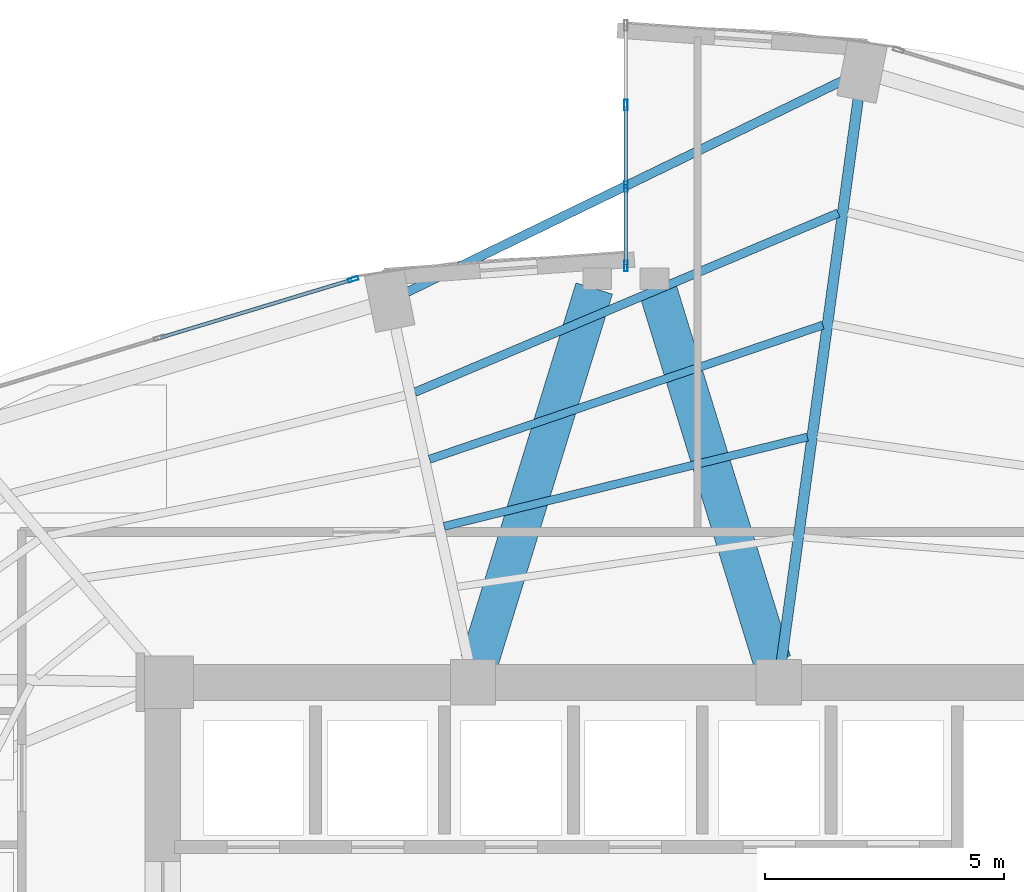
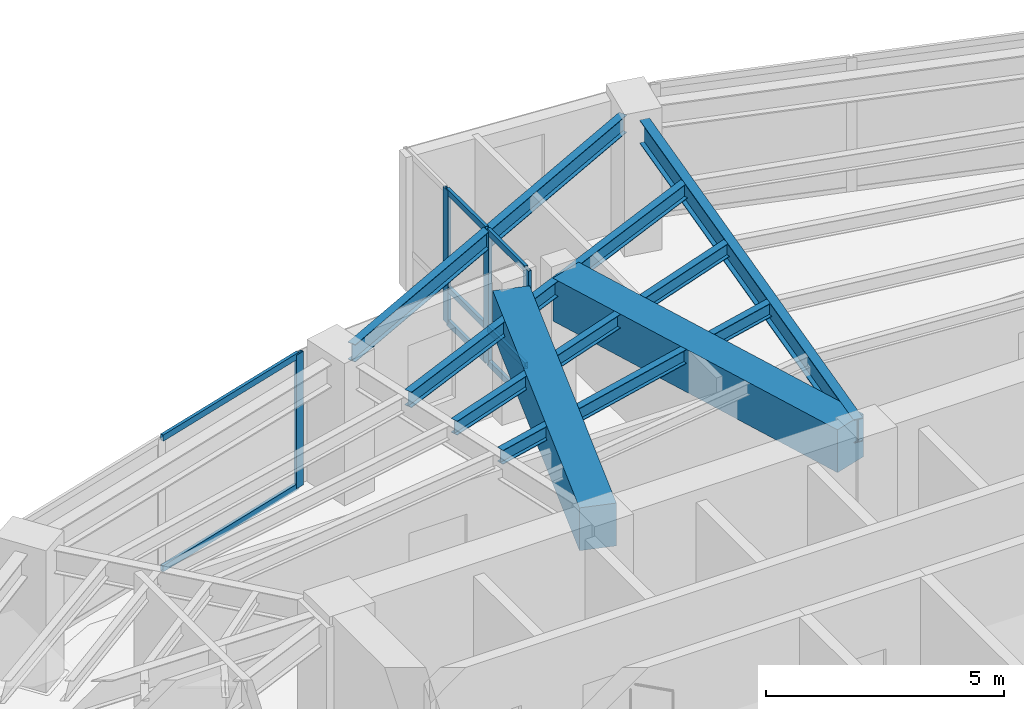
# One storey, part 15 of 24: 12 members, 7 beams, 2 elements without a shape of their own.
"""IFC4 building model written with IfcOpenShell, lengths in metres."""

from ifc_helpers import new_model, si_unit, direction, frame, origin, origin_2d, place, context, subcontext, project, spatial, rectangle, hollow_rectangle, i_section, extrude, material, layer, layer_set, material_profile, profile_set, type_object, element, aggregate, save


model = new_model("IFC4")

# Units and contexts
model_context = context("Model", 3, precision=1e-05, world=origin(), true_north=direction((0.0, 1.0)))
body_context = subcontext(model_context, "Body", "Model", "MODEL_VIEW")
ifc_project = project(units=[si_unit("LENGTHUNIT", "METRE"), si_unit("AREAUNIT", "SQUARE_METRE"), si_unit("VOLUMEUNIT", "CUBIC_METRE"), si_unit("PLANEANGLEUNIT", "RADIAN"), si_unit("MASSUNIT", "GRAM", prefix="KILO")], contexts=[model_context])

# Site, building, storey
site_placement = place(None, origin())
site = spatial("IfcSite", under=ifc_project, at=site_placement, CompositionType="ELEMENT")
building_placement = place(site_placement, origin())
building = spatial("IfcBuilding", under=site, at=building_placement, Name="Lazwardi Medical Tower", CompositionType="ELEMENT")
storey_placement = place(building_placement, frame((0.0, 0.0, 99.98388671875)))
storey = spatial("IfcBuildingStorey", under=building, at=storey_placement, Name="L25", CompositionType="ELEMENT", Elevation=99.98388671875)

# Beams
ifc_material_1 = material(Name="Concrete C70/85", Category="concrete")
ifc_material_profile_1 = material_profile(ifc_material_1, rectangle(XDim=0.800048828125, YDim=1.10009765625, at=origin_2d()), Name="RC 800x1100")
ifc_profile_set_1 = profile_set([ifc_material_profile_1], Name="Concrete C70/85")
beam_type_1 = type_object("IfcBeamType", Name="BM-CB-RC1", PredefinedType="LINTEL", material=ifc_profile_set_1)
for number, where, z_axis, x_axis, name in (
    (1, (32.935302734375, 36.039794921875, 2.878173828125), (0.294073251002, 0.955782884888, 0.0), (-0.955782884888, 0.294073251002, 0.0), "Core coupling lintel CB-01 PL1 L25"),
    (2, (39.064697265625, 36.039794921875, 2.878173828125), (-0.294073251002, 0.955782884888, 0.0), (-0.955782884888, -0.294073251002, 0.0), "Core coupling lintel CB-01 PL2 L25"),
):
    element("IfcBeam", number, at=place(storey_placement, frame(where, z_axis=z_axis, x_axis=x_axis)), inside=storey, type_object=beam_type_1, Name=name, PredefinedType="LINTEL", context=body_context, shape_type="SweptSolid", body=[
        extrude(rectangle(XDim=0.800048828125, YDim=1.10009765625, at=origin_2d()), origin(), (0.0, 0.0, 1.0), 8.1708984375),
    ])
ifc_material_2 = material(Name="Steel S355", Category="steel")
ifc_material_profile_2 = material_profile(ifc_material_2, i_section(OverallWidth=0.219970703125, OverallDepth=0.60009765625, WebThickness=0.011962890625, FlangeThickness=0.01904296875, at=origin_2d()), Name="IPE 600")
ifc_profile_set_2 = profile_set([ifc_material_profile_2], Name="Steel S355")
beam_type_2 = type_object("IfcBeamType", Name="BM-RG-W1", PredefinedType="BEAM", material=ifc_profile_set_2)
beam_1_placement = place(storey_placement, frame((40.8671875, 47.82275390625, 3.128173828125), z_axis=(-0.135147148002, -0.990825538825, 0.0), x_axis=(0.990825538825, -0.135147148002, 0.0)))
element("IfcBeam", 3, at=beam_1_placement, inside=storey, type_object=beam_type_2, Name="Radial girder RG-02 R08 L25", PredefinedType="BEAM", context=body_context, shape_type="SweptSolid", body=[
    extrude(i_section(OverallWidth=0.219970703125, OverallDepth=0.60009765625, WebThickness=0.011962890625, FlangeThickness=0.01904296875, at=origin_2d()), origin(), (0.0, 0.0, 1.0), 11.875732421875),
])
ifc_material_profile_3 = material_profile(ifc_material_2, i_section(OverallWidth=0.179931640625, OverallDepth=0.39990234375, WebThickness=0.008544921875, FlangeThickness=0.013427734375, at=origin_2d()), Name="IPE 400")
ifc_profile_set_3 = profile_set([ifc_material_profile_3], Name="Steel S355")
beam_type_3 = type_object("IfcBeamType", Name="BM-SJ-01", PredefinedType="JOIST", material=ifc_profile_set_3)
beam_2_placement = place(storey_placement, frame((40.449462890625, 45.428466796875, 3.22802734375), z_axis=(-0.920947307957, -0.389687125739, 0.0), x_axis=(0.389687125739, -0.920947307957, 0.0)))
element("IfcBeam", 4, at=beam_2_placement, inside=storey, type_object=beam_type_3, Name="Secondary joist SJ-01 R1 B08 L25", PredefinedType="JOIST", context=body_context, shape_type="SweptSolid", body=[
    extrude(i_section(OverallWidth=0.179931640625, OverallDepth=0.39990234375, WebThickness=0.008544921875, FlangeThickness=0.013427734375, at=origin_2d()), origin(), (0.0, 0.0, 1.0), 9.63134765625),
])
ifc_material_profile_4 = material_profile(ifc_material_2, i_section(OverallWidth=0.169921875, OverallDepth=0.360107421875, WebThickness=0.008056640625, FlangeThickness=0.0126953125, at=origin_2d()), Name="IPE 360")
ifc_profile_set_4 = profile_set([ifc_material_profile_4], Name="Steel S355")
beam_type_4 = type_object("IfcBeamType", Name="BM-SJ-02", PredefinedType="JOIST", material=ifc_profile_set_4)
beam_3_placement = place(storey_placement, frame((40.125732421875, 43.08203125, 3.248046875), z_axis=(-0.946467154368, -0.322800132749, 0.0), x_axis=(0.322800132749, -0.946467154368, 0.0)))
element("IfcBeam", 5, at=beam_3_placement, inside=storey, type_object=beam_type_4, Name="Secondary joist SJ-02 R2 B08 L25", PredefinedType="JOIST", context=body_context, shape_type="SweptSolid", body=[
    extrude(i_section(OverallWidth=0.169921875, OverallDepth=0.360107421875, WebThickness=0.008056640625, FlangeThickness=0.0126953125, at=origin_2d()), origin(), (0.0, 0.0, 1.0), 8.70458984375),
])
beam_4_placement = place(storey_placement, frame((39.80224609375, 40.737548828125, 3.248046875), z_axis=(-0.97107737879, -0.238764998276, 0.0), x_axis=(0.238764998276, -0.97107737879, 0.0)))
element("IfcBeam", 6, at=beam_4_placement, inside=storey, type_object=beam_type_4, Name="Secondary joist SJ-02 R3 B08 L25", PredefinedType="JOIST", context=body_context, shape_type="SweptSolid", body=[
    extrude(i_section(OverallWidth=0.169921875, OverallDepth=0.360107421875, WebThickness=0.008056640625, FlangeThickness=0.0126953125, at=origin_2d()), origin(), (0.0, 0.0, 1.0), 7.83447265625),
])
ifc_material_profile_5 = material_profile(ifc_material_2, i_section(OverallWidth=0.18994140625, OverallDepth=0.449951171875, WebThickness=0.009521484375, FlangeThickness=0.0146484375, at=origin_2d()), Name="IPE 450")
ifc_profile_set_5 = profile_set([ifc_material_profile_5], Name="Steel S355")
beam_type_5 = type_object("IfcBeamType", Name="BM-SP-01", PredefinedType="SPANDREL", material=ifc_profile_set_5)
beam_5_placement = place(storey_placement, frame((40.57666015625, 48.218505859375, 3.203125), z_axis=(-0.899653336227, -0.436604941125, 0.0), x_axis=(0.436604941125, -0.899653336227, 0.0)))
element("IfcBeam", 7, at=beam_5_placement, inside=storey, type_object=beam_type_5, Name="Spandrel beam SP-01 B08 L25", PredefinedType="SPANDREL", context=body_context, shape_type="SweptSolid", body=[
    extrude(i_section(OverallWidth=0.18994140625, OverallDepth=0.449951171875, WebThickness=0.009521484375, FlangeThickness=0.0146484375, at=origin_2d()), origin(), (0.0, 0.0, 1.0), 10.17431640625),
])

# Curtain wall, member
ifc_material_3 = material(Name="Anodised bronze aluminium and solar control glazing", Category="aluminium")
ifc_layer_1 = layer(ifc_material_3, 0.195068359375)
ifc_layer_set_1 = layer_set([ifc_layer_1], Name="Anodised bronze aluminium and solar control glazing")
curtain_wall_type_1 = type_object("IfcCurtainWallType", Name="CW-SYS-03", PredefinedType="NOTDEFINED", material=ifc_layer_set_1)
curtain_wall_1_placement = place(storey_placement, origin())
curtain_wall_1 = element("IfcCurtainWall", 8, at=curtain_wall_1_placement, inside=storey, type_object=curtain_wall_type_1, Name="L25 Unitised bronze curtain wall CW-03", PredefinedType="NOTDEFINED")
ifc_material_4 = material(Name="Anodised bronze aluminium", Category="aluminium")
ifc_material_profile_6 = material_profile(ifc_material_4, hollow_rectangle(XDim=0.074951171875, YDim=0.219970703125, WallThickness=0.00390625, at=origin_2d()), Name="ALU-MULLION 220x75x4")
ifc_profile_set_6 = profile_set([ifc_material_profile_6], Name="Anodised bronze aluminium")
member_type_1 = type_object("IfcMemberType", Name="CW-MUL-01", PredefinedType="MULLION", material=ifc_profile_set_6)
member_1_placement = place(storey_placement, frame((30.289794921875, 44.0400390625, 0.0), z_axis=(0.0, 0.0, 1.0), x_axis=(0.28937381157, -0.957216170558, 0.0)))
member_1 = element("IfcMember", 9, at=member_1_placement, type_object=member_type_1, Name="CW-03 mullion 1", PredefinedType="MULLION", context=body_context, shape_type="SweptSolid", body=[
    extrude(hollow_rectangle(XDim=0.074951171875, YDim=0.219970703125, WallThickness=0.00390625, at=origin_2d()), origin(), (0.0, 0.0, 1.0), 3.42822265625),
])

# Curtain wall, members
ifc_layer_2 = layer(ifc_material_3, 0.2099609375)
ifc_layer_set_2 = layer_set([ifc_layer_2], Name="Anodised bronze aluminium and solar control glazing")
curtain_wall_type_2 = type_object("IfcCurtainWallType", Name="CW-SYS-06", PredefinedType="NOTDEFINED", material=ifc_layer_set_2)
curtain_wall_2_placement = place(storey_placement, origin())
curtain_wall_2 = element("IfcCurtainWall", 10, at=curtain_wall_2_placement, inside=storey, type_object=curtain_wall_type_2, Name="L25 Unitised bronze curtain wall CW-06", PredefinedType="NOTDEFINED")
member_2_placement = place(storey_placement, frame((36.0, 47.693359375, 0.0), z_axis=(0.0, 0.0, 1.0), x_axis=(1.0, 0.0, 0.0)))
member_2 = element("IfcMember", 11, at=member_2_placement, type_object=member_type_1, Name="CW-06 mullion 2", PredefinedType="MULLION", context=body_context, shape_type="SweptSolid", body=[
    extrude(hollow_rectangle(XDim=0.074951171875, YDim=0.219970703125, WallThickness=0.00390625, at=origin_2d()), origin(), (0.0, 0.0, 1.0), 3.42822265625),
])
member_3_placement = place(storey_placement, frame((36.0, 45.986572265625, 0.0), z_axis=(0.0, 0.0, 1.0), x_axis=(1.0, 0.0, 0.0)))
member_3 = element("IfcMember", 12, at=member_3_placement, type_object=member_type_1, Name="CW-06 mullion 3", PredefinedType="MULLION", context=body_context, shape_type="SweptSolid", body=[
    extrude(hollow_rectangle(XDim=0.074951171875, YDim=0.219970703125, WallThickness=0.00390625, at=origin_2d()), origin(), (0.0, 0.0, 1.0), 3.42822265625),
])
member_4_placement = place(storey_placement, frame((36.0, 44.3173828125, 0.0), z_axis=(0.0, 0.0, 1.0), x_axis=(1.0, 0.0, 0.0)))
member_4 = element("IfcMember", 13, at=member_4_placement, type_object=member_type_1, Name="CW-06 mullion 4", PredefinedType="MULLION", context=body_context, shape_type="SweptSolid", body=[
    extrude(hollow_rectangle(XDim=0.074951171875, YDim=0.219970703125, WallThickness=0.00390625, at=origin_2d()), origin(), (0.0, 0.0, 1.0), 3.42822265625),
])

# Member
ifc_material_profile_7 = material_profile(ifc_material_4, hollow_rectangle(XDim=0.074951171875, YDim=0.159912109375, WallThickness=0.00390625, at=origin_2d()), Name="ALU-TRANSOM 160x75x4")
ifc_profile_set_7 = profile_set([ifc_material_profile_7], Name="Anodised bronze aluminium")
member_type_2 = type_object("IfcMemberType", Name="CW-TRN-01", PredefinedType="USERDEFINED", material=ifc_profile_set_7)
member_5_placement = place(storey_placement, frame((30.25390625, 44.029296875, 0.03759765625), z_axis=(-0.957220865985, -0.289358279168, 0.0), x_axis=(0.289358279168, -0.957220865985, 0.0)))
member_5 = element("IfcMember", 14, at=member_5_placement, type_object=member_type_2, Name="CW-03 transom 1.1", ObjectType="TRANSOM", PredefinedType="USERDEFINED", context=body_context, shape_type="SweptSolid", body=[
    extrude(hollow_rectangle(XDim=0.074951171875, YDim=0.159912109375, WallThickness=0.00390625, at=origin_2d()), origin(), (0.0, 0.0, 1.0), 4.16552734375),
])

member_6_placement = place(storey_placement, frame((30.25390625, 44.029296875, 3.390625), z_axis=(-0.957220865985, -0.289358279168, 0.0), x_axis=(0.289358279168, -0.957220865985, 0.0)))
member_6 = element("IfcMember", 15, at=member_6_placement, type_object=member_type_2, Name="CW-03 transom 1.2", ObjectType="TRANSOM", PredefinedType="USERDEFINED", context=body_context, shape_type="SweptSolid", body=[
    extrude(hollow_rectangle(XDim=0.074951171875, YDim=0.159912109375, WallThickness=0.00390625, at=origin_2d()), origin(), (0.0, 0.0, 1.0), 4.16552734375),
])

aggregate(curtain_wall_1, [member_1, member_5, member_6])

member_7_placement = place(storey_placement, frame((36.0, 47.65576171875, 0.03759765625), z_axis=(0.0, -1.0, 0.0), x_axis=(1.0, 0.0, 0.0)))
member_7 = element("IfcMember", 16, at=member_7_placement, type_object=member_type_2, Name="CW-06 transom 2.1", ObjectType="TRANSOM", PredefinedType="USERDEFINED", context=body_context, shape_type="SweptSolid", body=[
    extrude(hollow_rectangle(XDim=0.074951171875, YDim=0.159912109375, WallThickness=0.00390625, at=origin_2d()), origin(), (0.0, 0.0, 1.0), 1.631591796875),
])

member_8_placement = place(storey_placement, frame((36.0, 47.65576171875, 0.900146484375), z_axis=(0.0, -1.0, 0.0), x_axis=(1.0, 0.0, 0.0)))
member_8 = element("IfcMember", 17, at=member_8_placement, type_object=member_type_2, Name="CW-06 transom 2.2", ObjectType="TRANSOM", PredefinedType="USERDEFINED", context=body_context, shape_type="SweptSolid", body=[
    extrude(hollow_rectangle(XDim=0.074951171875, YDim=0.159912109375, WallThickness=0.00390625, at=origin_2d()), origin(), (0.0, 0.0, 1.0), 1.631591796875),
])

member_9_placement = place(storey_placement, frame((36.0, 47.65576171875, 3.390625), z_axis=(0.0, -1.0, 0.0), x_axis=(1.0, 0.0, 0.0)))
member_9 = element("IfcMember", 18, at=member_9_placement, type_object=member_type_2, Name="CW-06 transom 2.3", ObjectType="TRANSOM", PredefinedType="USERDEFINED", context=body_context, shape_type="SweptSolid", body=[
    extrude(hollow_rectangle(XDim=0.074951171875, YDim=0.159912109375, WallThickness=0.00390625, at=origin_2d()), origin(), (0.0, 0.0, 1.0), 1.631591796875),
])

member_10_placement = place(storey_placement, frame((36.0, 45.94921875, 0.03759765625), z_axis=(0.0, -1.0, 0.0), x_axis=(1.0, 0.0, 0.0)))
member_10 = element("IfcMember", 19, at=member_10_placement, type_object=member_type_2, Name="CW-06 transom 3.1", ObjectType="TRANSOM", PredefinedType="USERDEFINED", context=body_context, shape_type="SweptSolid", body=[
    extrude(hollow_rectangle(XDim=0.074951171875, YDim=0.159912109375, WallThickness=0.00390625, at=origin_2d()), origin(), (0.0, 0.0, 1.0), 1.59423828125),
])

member_11_placement = place(storey_placement, frame((36.0, 45.94921875, 0.900146484375), z_axis=(0.0, -1.0, 0.0), x_axis=(1.0, 0.0, 0.0)))
member_11 = element("IfcMember", 20, at=member_11_placement, type_object=member_type_2, Name="CW-06 transom 3.2", ObjectType="TRANSOM", PredefinedType="USERDEFINED", context=body_context, shape_type="SweptSolid", body=[
    extrude(hollow_rectangle(XDim=0.074951171875, YDim=0.159912109375, WallThickness=0.00390625, at=origin_2d()), origin(), (0.0, 0.0, 1.0), 1.59423828125),
])

member_12_placement = place(storey_placement, frame((36.0, 45.94921875, 3.390625), z_axis=(0.0, -1.0, 0.0), x_axis=(1.0, 0.0, 0.0)))
member_12 = element("IfcMember", 21, at=member_12_placement, type_object=member_type_2, Name="CW-06 transom 3.3", ObjectType="TRANSOM", PredefinedType="USERDEFINED", context=body_context, shape_type="SweptSolid", body=[
    extrude(hollow_rectangle(XDim=0.074951171875, YDim=0.159912109375, WallThickness=0.00390625, at=origin_2d()), origin(), (0.0, 0.0, 1.0), 1.59423828125),
])

aggregate(curtain_wall_2, [member_2, member_3, member_4, member_7, member_8, member_9, member_10, member_11, member_12])

save(model, "model.ifc")
